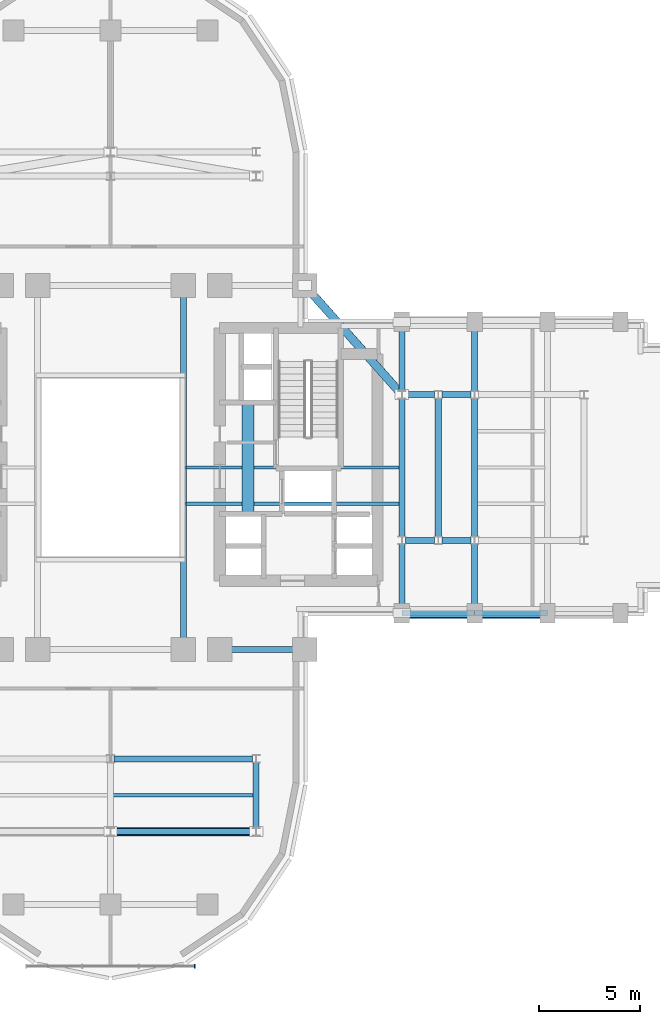
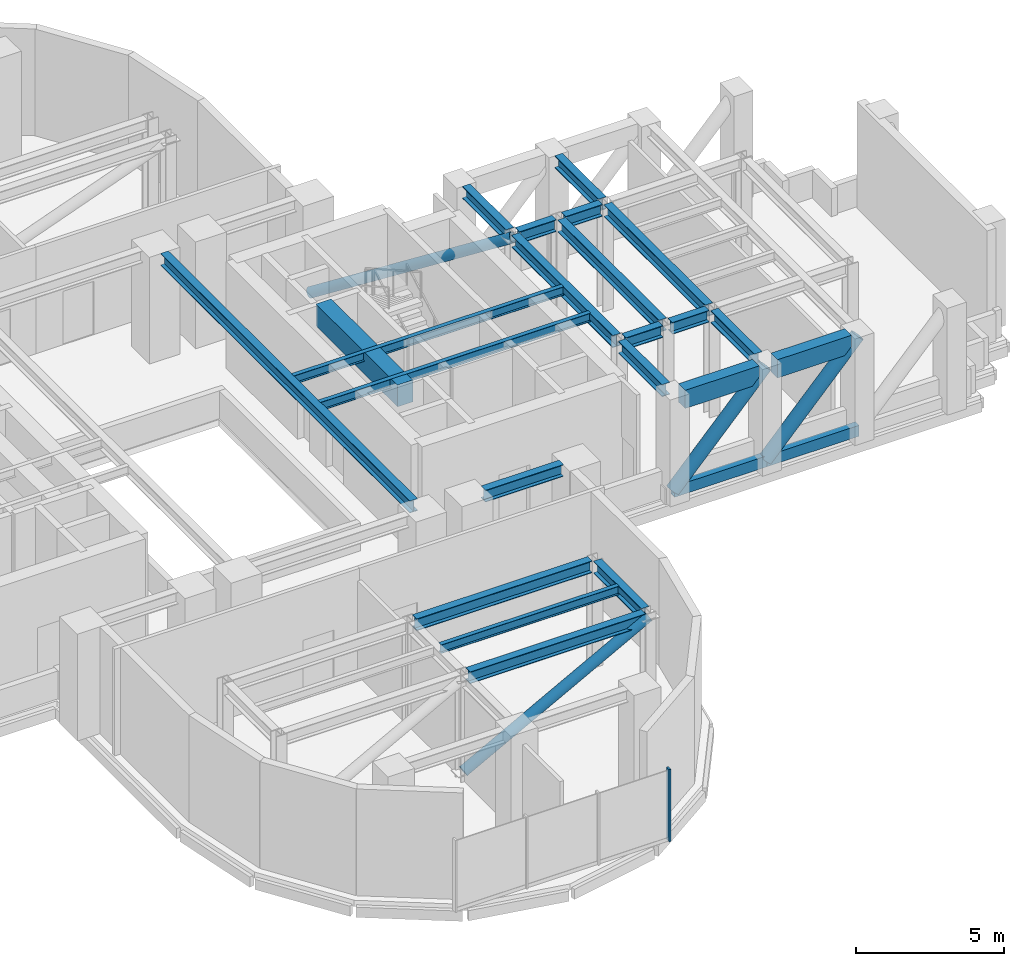
# One storey, part 5 of 15: 22 beams, 7 members, 1 element without a shape of its own.
"""IFC4 building model written with IfcOpenShell, lengths in metres."""

from ifc_helpers import new_model, si_unit, direction, frame, origin, origin_2d, place, context, subcontext, project, spatial, rectangle, hollow_rectangle, hollow_circle, i_section, extrude, source, transform, mapped, material, material_profile, profile_set, type_object, element, aggregate, save


model = new_model("IFC4")

# Units and contexts
model_context = context("Model", 3, precision=1e-05, world=origin(), true_north=direction((0.0, 1.0)))
body_context = subcontext(model_context, "Body", "Model", "MODEL_VIEW")
ifc_project = project(units=[si_unit("LENGTHUNIT", "METRE"), si_unit("AREAUNIT", "SQUARE_METRE"), si_unit("VOLUMEUNIT", "CUBIC_METRE"), si_unit("PLANEANGLEUNIT", "RADIAN"), si_unit("MASSUNIT", "GRAM", prefix="KILO")], contexts=[model_context])

# Site, building, storey
site_placement = place(None, origin())
site = spatial("IfcSite", under=ifc_project, at=site_placement, CompositionType="ELEMENT")
building_placement = place(site_placement, origin())
building = spatial("IfcBuilding", under=site, at=building_placement, Name="Keilestroom Media Tower", CompositionType="ELEMENT")
storey_placement = place(building_placement, frame((0.0, 0.0, 88.39990234375)))
storey = spatial("IfcBuildingStorey", under=building, at=storey_placement, Name="L23", CompositionType="ELEMENT", Elevation=88.39990234375)

# Beams
ifc_material_1 = material(Name="Concrete C70/85", Category="concrete")
ifc_material_profile_1 = material_profile(ifc_material_1, rectangle(XDim=0.60009765625, YDim=0.89990234375, at=origin_2d()), Name="RC 600x900")
ifc_profile_set_1 = profile_set([ifc_material_profile_1], Name="Concrete C70/85")
beam_type_1 = type_object("IfcBeamType", Name="Core-Coupling-Lintel-Beam-RC-600x900", PredefinedType="LINTEL", material=ifc_profile_set_1)
shared_shape_1 = source(origin(), body_context, "Body", "SweptSolid", [
    extrude(rectangle(XDim=0.60009765625, YDim=0.89990234375, at=origin_2d()), origin(), (0.0, 0.0, 1.0), 5.52001953125),
])
beam_1_placement = place(storey_placement, frame((6.800048828125, -2.300048828125, 3.9501953125), z_axis=(0.0, 1.0, 0.0), x_axis=(-1.0, 0.0, 0.0)))
element("IfcBeam", 1, at=beam_1_placement, inside=storey, type_object=beam_type_1, Name="L23 Beam CLB-1 CLB-L23-E", PredefinedType="LINTEL", context=body_context, shape_type="MappedRepresentation", body=[
    mapped(shared_shape_1, transform((0.0, 0.0, 0.0), x_axis=(1.0, 0.0, 0.0), y_axis=(0.0, 1.0, 0.0), z_axis=(0.0, 0.0, 1.0), scale=1.0)),
])
ifc_material_2 = material(Name="Precast concrete C40/50", Category="concrete")
ifc_material_profile_2 = material_profile(ifc_material_2, rectangle(XDim=0.449951171875, YDim=0.75, at=origin_2d()), Name="PC 450x750")
ifc_profile_set_2 = profile_set([ifc_material_profile_2], Name="Precast concrete C40/50")
beam_type_2 = type_object("IfcBeamType", Name="Perimeter-Spandrel-Beam-PC-450x750", PredefinedType="SPANDREL", material=ifc_profile_set_2)
shared_shape_2 = source(origin(), body_context, "Body", "SweptSolid", [
    extrude(rectangle(XDim=0.449951171875, YDim=0.75, at=origin_2d()), origin(), (0.0, 0.0, 1.0), 2.89013671875),
])
for number, where, z_axis, x_axis, name in (
    (2, (14.7548828125, -7.199951171875, 4.025146484375), (1.0, 0.0, 0.0), (0.0, 1.0, 0.0), "L23 Beam SPB-1 BM-L23-EW-014"),
    (3, (18.35498046875, -7.199951171875, 4.025146484375), (1.0, 0.0, 0.0), (0.0, 1.0, 0.0), "L23 Beam SPB-1 BM-L23-EW-015"),
):
    element("IfcBeam", number, at=place(storey_placement, frame(where, z_axis=z_axis, x_axis=x_axis)), inside=storey, type_object=beam_type_2, Name=name, PredefinedType="SPANDREL", context=body_context, shape_type="MappedRepresentation", body=[
        mapped(shared_shape_2, transform((0.0, 0.0, 0.0), x_axis=(1.0, 0.0, 0.0), y_axis=(0.0, 1.0, 0.0), z_axis=(0.0, 0.0, 1.0), scale=1.0)),
    ])
ifc_material_3 = material(Name="Steel S355", Category="steel")
ifc_material_profile_3 = material_profile(ifc_material_3, i_section(OverallWidth=0.300048828125, OverallDepth=0.5, WebThickness=0.012451171875, FlangeThickness=0.028076171875, at=origin_2d()), Name="HEB 500")
ifc_profile_set_3 = profile_set([ifc_material_profile_3], Name="Steel S355")
beam_type_3 = type_object("IfcBeamType", Name="Primary-Structural-Girder-HEB-500", PredefinedType="BEAM", material=ifc_profile_set_3)
shared_shape_3 = source(origin(), body_context, "Body", "SweptSolid", [
    extrude(i_section(OverallWidth=0.300048828125, OverallDepth=0.5, WebThickness=0.012451171875, FlangeThickness=0.028076171875, at=origin_2d()), origin(), (0.0, 0.0, 1.0), 6.8330078125),
])
for number, where, z_axis, x_axis, name in (
    (4, (14.39990234375, -3.41650390625, 4.150146484375), (0.0, 1.0, 0.0), (-1.0, 0.0, 0.0), "L23 Beam BG-6 BM-L23-NS-067"),
    (5, (16.199951171875, -3.41650390625, 4.150146484375), (0.0, 1.0, 0.0), (-1.0, 0.0, 0.0), "L23 Beam BG-6 BM-L23-NS-069"),
    (6, (18.0, -3.41650390625, 4.150146484375), (0.0, 1.0, 0.0), (-1.0, 0.0, 0.0), "L23 Beam BG-6 BM-L23-NS-071"),
):
    element("IfcBeam", number, at=place(storey_placement, frame(where, z_axis=z_axis, x_axis=x_axis)), inside=storey, type_object=beam_type_3, Name=name, PredefinedType="BEAM", context=body_context, shape_type="MappedRepresentation", body=[
        mapped(shared_shape_3, transform((0.0, 0.0, 0.0), x_axis=(1.0, 0.0, 0.0), y_axis=(0.0, 1.0, 0.0), z_axis=(0.0, 0.0, 1.0), scale=1.0)),
    ])
shared_shape_4 = source(origin(), body_context, "Body", "SweptSolid", [
    extrude(i_section(OverallWidth=0.300048828125, OverallDepth=0.5, WebThickness=0.012451171875, FlangeThickness=0.028076171875, at=origin_2d()), origin(), (0.0, 0.0, 1.0), 2.961669921875),
])
for number, where, z_axis, x_axis, name in (
    (7, (14.39990234375, -6.7451171875, 4.150146484375), (0.0, 1.0, 0.0), (-1.0, 0.0, 0.0), "L23 Beam BG-6 BM-L23-NS-066"),
    (8, (14.39990234375, 3.783447265625, 4.150146484375), (0.0, 1.0, 0.0), (-1.0, 0.0, 0.0), "L23 Beam BG-6 BM-L23-NS-068"),
    (9, (18.0, -6.7451171875, 4.150146484375), (0.0, 1.0, 0.0), (-1.0, 0.0, 0.0), "L23 Beam BG-6 BM-L23-NS-070"),
    (10, (18.0, 3.783447265625, 4.150146484375), (0.0, 1.0, 0.0), (-1.0, 0.0, 0.0), "L23 Beam BG-6 BM-L23-NS-072"),
):
    element("IfcBeam", number, at=place(storey_placement, frame(where, z_axis=z_axis, x_axis=x_axis)), inside=storey, type_object=beam_type_3, Name=name, PredefinedType="BEAM", context=body_context, shape_type="MappedRepresentation", body=[
        mapped(shared_shape_4, transform((0.0, 0.0, 0.0), x_axis=(1.0, 0.0, 0.0), y_axis=(0.0, 1.0, 0.0), z_axis=(0.0, 0.0, 1.0), scale=1.0)),
    ])
shared_shape_5 = source(origin(), body_context, "Body", "SweptSolid", [
    extrude(i_section(OverallWidth=0.300048828125, OverallDepth=0.5, WebThickness=0.012451171875, FlangeThickness=0.028076171875, at=origin_2d()), origin(), (0.0, 0.0, 1.0), 3.23291015625),
])
beam_2_placement = place(storey_placement, frame((7.199951171875, -17.81640625, 4.150146484375), z_axis=(0.0, 1.0, 0.0), x_axis=(-1.0, 0.0, 0.0)))
element("IfcBeam", 11, at=beam_2_placement, inside=storey, type_object=beam_type_3, Name="L23 Beam BG-6 BM-L23-NS-063", PredefinedType="BEAM", context=body_context, shape_type="MappedRepresentation", body=[
    mapped(shared_shape_5, transform((0.0, 0.0, 0.0), x_axis=(1.0, 0.0, 0.0), y_axis=(0.0, 1.0, 0.0), z_axis=(0.0, 0.0, 1.0), scale=1.0)),
])
shared_shape_6 = source(origin(), body_context, "Body", "SweptSolid", [
    extrude(i_section(OverallWidth=0.300048828125, OverallDepth=0.5, WebThickness=0.012451171875, FlangeThickness=0.028076171875, at=origin_2d()), origin(), (0.0, 0.0, 1.0), 16.83984375),
])
beam_3_placement = place(storey_placement, frame((3.60009765625, -8.419921875, 4.150146484375), z_axis=(0.0, 1.0, 0.0), x_axis=(-1.0, 0.0, 0.0)))
element("IfcBeam", 12, at=beam_3_placement, inside=storey, type_object=beam_type_3, Name="L23 Beam BG-6 BM-L23-NS-061", PredefinedType="BEAM", context=body_context, shape_type="MappedRepresentation", body=[
    mapped(shared_shape_6, transform((0.0, 0.0, 0.0), x_axis=(1.0, 0.0, 0.0), y_axis=(0.0, 1.0, 0.0), z_axis=(0.0, 0.0, 1.0), scale=1.0)),
])
ifc_material_profile_4 = material_profile(ifc_material_3, i_section(OverallWidth=0.300048828125, OverallDepth=0.489990234375, WebThickness=0.011962890625, FlangeThickness=0.02294921875, at=origin_2d()), Name="HEA 500")
ifc_profile_set_4 = profile_set([ifc_material_profile_4], Name="Steel S355")
beam_type_4 = type_object("IfcBeamType", Name="Primary-Structural-Girder-HEA-500", PredefinedType="BEAM", material=ifc_profile_set_4)
shared_shape_7 = source(origin(), body_context, "Body", "SweptSolid", [
    extrude(i_section(OverallWidth=0.300048828125, OverallDepth=0.489990234375, WebThickness=0.011962890625, FlangeThickness=0.02294921875, at=origin_2d()), origin(), (0.0, 0.0, 1.0), 6.836181640625),
])
for number, where, z_axis, x_axis, name in (
    (13, (0.181884765625, -18.0, 4.155029296875), (1.0, 0.0, 0.0), (0.0, 1.0, 0.0), "L23 Beam BG-10 BM-L23-EW-004"),
    (14, (0.181884765625, -14.39990234375, 4.155029296875), (1.0, 0.0, 0.0), (0.0, 1.0, 0.0), "L23 Beam BG-10 BM-L23-EW-006"),
):
    element("IfcBeam", number, at=place(storey_placement, frame(where, z_axis=z_axis, x_axis=x_axis)), inside=storey, type_object=beam_type_4, Name=name, PredefinedType="BEAM", context=body_context, shape_type="MappedRepresentation", body=[
        mapped(shared_shape_7, transform((0.0, 0.0, 0.0), x_axis=(1.0, 0.0, 0.0), y_axis=(0.0, 1.0, 0.0), z_axis=(0.0, 0.0, 1.0), scale=1.0)),
    ])
shared_shape_8 = source(origin(), body_context, "Body", "SweptSolid", [
    extrude(i_section(OverallWidth=0.300048828125, OverallDepth=0.489990234375, WebThickness=0.011962890625, FlangeThickness=0.02294921875, at=origin_2d()), origin(), (0.0, 0.0, 1.0), 3.0400390625),
])
beam_4_placement = place(storey_placement, frame((5.97998046875, -9.0, 4.155029296875), z_axis=(1.0, 0.0, 0.0), x_axis=(0.0, 1.0, 0.0)))
element("IfcBeam", 15, at=beam_4_placement, inside=storey, type_object=beam_type_4, Name="L23 Beam BG-10 BM-L23-EW-011", PredefinedType="BEAM", context=body_context, shape_type="MappedRepresentation", body=[
    mapped(shared_shape_8, transform((0.0, 0.0, 0.0), x_axis=(1.0, 0.0, 0.0), y_axis=(0.0, 1.0, 0.0), z_axis=(0.0, 0.0, 1.0), scale=1.0)),
])
shared_shape_9 = source(origin(), body_context, "Body", "SweptSolid", [
    extrude(i_section(OverallWidth=0.300048828125, OverallDepth=0.489990234375, WebThickness=0.011962890625, FlangeThickness=0.02294921875, at=origin_2d()), origin(), (0.0, 0.0, 1.0), 1.43603515625),
])
for number, where, z_axis, x_axis, name in (
    (16, (14.58203125, -3.60009765625, 4.155029296875), (1.0, 0.0, 0.0), (0.0, 1.0, 0.0), "L23 Beam BG-10 BM-L23-EW-019"),
    (17, (16.382080078125, -3.60009765625, 4.155029296875), (1.0, 0.0, 0.0), (0.0, 1.0, 0.0), "L23 Beam BG-10 BM-L23-EW-020"),
    (18, (14.58203125, 3.60009765625, 4.155029296875), (1.0, 0.0, 0.0), (0.0, 1.0, 0.0), "L23 Beam BG-10 BM-L23-EW-025"),
    (19, (16.382080078125, 3.60009765625, 4.155029296875), (1.0, 0.0, 0.0), (0.0, 1.0, 0.0), "L23 Beam BG-10 BM-L23-EW-026"),
):
    element("IfcBeam", number, at=place(storey_placement, frame(where, z_axis=z_axis, x_axis=x_axis)), inside=storey, type_object=beam_type_4, Name=name, PredefinedType="BEAM", context=body_context, shape_type="MappedRepresentation", body=[
        mapped(shared_shape_9, transform((0.0, 0.0, 0.0), x_axis=(1.0, 0.0, 0.0), y_axis=(0.0, 1.0, 0.0), z_axis=(0.0, 0.0, 1.0), scale=1.0)),
    ])
ifc_material_profile_5 = material_profile(ifc_material_3, i_section(OverallWidth=0.169921875, OverallDepth=0.360107421875, WebThickness=0.008056640625, FlangeThickness=0.0126953125, at=origin_2d()), Name="IPE 360")
ifc_profile_set_5 = profile_set([ifc_material_profile_5], Name="Steel S355")
beam_type_5 = type_object("IfcBeamType", Name="Secondary-Floor-Joist-IPE-360", PredefinedType="JOIST", material=ifc_profile_set_5)
shared_shape_10 = source(origin(), body_context, "Body", "SweptSolid", [
    extrude(i_section(OverallWidth=0.169921875, OverallDepth=0.360107421875, WebThickness=0.008056640625, FlangeThickness=0.0126953125, at=origin_2d()), origin(), (0.0, 0.0, 1.0), 6.940185546875),
])
beam_5_placement = place(storey_placement, frame((0.1298828125, -16.199951171875, 4.22021484375), z_axis=(1.0, 0.0, 0.0), x_axis=(0.0, 1.0, 0.0)))
element("IfcBeam", 20, at=beam_5_placement, inside=storey, type_object=beam_type_5, Name="L23 Beam BJ-5 JST-L23-076", PredefinedType="JOIST", context=body_context, shape_type="MappedRepresentation", body=[
    mapped(shared_shape_10, transform((0.0, 0.0, 0.0), x_axis=(1.0, 0.0, 0.0), y_axis=(0.0, 1.0, 0.0), z_axis=(0.0, 0.0, 1.0), scale=1.0)),
])
shared_shape_11 = source(origin(), body_context, "Body", "SweptSolid", [
    extrude(i_section(OverallWidth=0.169921875, OverallDepth=0.360107421875, WebThickness=0.008056640625, FlangeThickness=0.0126953125, at=origin_2d()), origin(), (0.0, 0.0, 1.0), 10.5400390625),
])
for number, where, z_axis, x_axis, name in (
    (21, (3.72998046875, -1.800048828125, 4.22021484375), (1.0, 0.0, 0.0), (0.0, 1.0, 0.0), "L23 Beam BJ-5 JST-L23-080"),
    (22, (3.72998046875, 0.0, 4.22021484375), (1.0, 0.0, 0.0), (0.0, 1.0, 0.0), "L23 Beam BJ-5 JST-L23-085"),
):
    element("IfcBeam", number, at=place(storey_placement, frame(where, z_axis=z_axis, x_axis=x_axis)), inside=storey, type_object=beam_type_5, Name=name, PredefinedType="JOIST", context=body_context, shape_type="MappedRepresentation", body=[
        mapped(shared_shape_11, transform((0.0, 0.0, 0.0), x_axis=(1.0, 0.0, 0.0), y_axis=(0.0, 1.0, 0.0), z_axis=(0.0, 0.0, 1.0), scale=1.0)),
    ])

# Members
ifc_material_4 = material(Name="Steel S460", Category="steel")
ifc_material_profile_6 = material_profile(ifc_material_4, hollow_rectangle(XDim=0.25, YDim=0.449951171875, WallThickness=0.01611328125, at=origin_2d()), Name="RHS 450x250x16")
ifc_profile_set_6 = profile_set([ifc_material_profile_6], Name="Steel S460")
member_type_1 = type_object("IfcMemberType", Name="Transfer-And-Belt-Truss-Chord-RHS-450x250x16", PredefinedType="CHORD", material=ifc_profile_set_6)
shared_shape_12 = source(origin(), body_context, "Body", "SweptSolid", [
    extrude(hollow_rectangle(XDim=0.25, YDim=0.449951171875, WallThickness=0.01611328125, at=origin_2d()), origin(), (0.0, 0.0, 1.0), 3.60009765625),
])
for number, where, z_axis, x_axis, name in (
    (23, (14.39990234375, -7.199951171875, 0.280029296875), (1.0, 0.0, 0.0), (0.0, 1.0, 0.0), "L23 Outrigger OT-L23-ES Chord 1"),
    (24, (18.0, -7.199951171875, 0.280029296875), (1.0, 0.0, 0.0), (0.0, 1.0, 0.0), "L23 Outrigger OT-L23-ES Chord 2"),
):
    element("IfcMember", number, at=place(storey_placement, frame(where, z_axis=z_axis, x_axis=x_axis)), inside=storey, type_object=member_type_1, Name=name, PredefinedType="CHORD", context=body_context, shape_type="MappedRepresentation", body=[
        mapped(shared_shape_12, transform((0.0, 0.0, 0.0), x_axis=(1.0, 0.0, 0.0), y_axis=(0.0, 1.0, 0.0), z_axis=(0.0, 0.0, 1.0), scale=1.0)),
    ])
ifc_material_profile_7 = material_profile(ifc_material_4, hollow_circle(Radius=0.25390625, WallThickness=0.02001953125, at=origin_2d()), Name="CHS 508x20")
ifc_profile_set_7 = profile_set([ifc_material_profile_7], Name="Steel S460")
member_type_2 = type_object("IfcMemberType", Name="Outrigger-And-Belt-Brace-CHS-508x20", PredefinedType="BRACE", material=ifc_profile_set_7)
shared_shape_13 = source(origin(), body_context, "Body", "SweptSolid", [
    extrude(hollow_circle(Radius=0.25390625, WallThickness=0.02001953125, at=origin_2d()), origin(), (0.0, 0.0, 1.0), 5.28564453125),
])
for number, where, z_axis, x_axis, name in (
    (25, (14.39990234375, -7.199951171875, 0.280029296875), (0.681102790765, 0.0, 0.732187809522), (0.0, 1.0, 0.0), "L23 Outrigger OT-L23-ES Brace 1"),
    (26, (18.0, -7.199951171875, 0.280029296875), (0.681102790765, 0.0, 0.732187809522), (0.0, 1.0, 0.0), "L23 Outrigger OT-L23-ES Brace 2"),
):
    element("IfcMember", number, at=place(storey_placement, frame(where, z_axis=z_axis, x_axis=x_axis)), inside=storey, type_object=member_type_2, Name=name, PredefinedType="BRACE", context=body_context, shape_type="MappedRepresentation", body=[
        mapped(shared_shape_13, transform((0.0, 0.0, 0.0), x_axis=(1.0, 0.0, 0.0), y_axis=(0.0, 1.0, 0.0), z_axis=(0.0, 0.0, 1.0), scale=1.0)),
    ])
ifc_material_profile_8 = material_profile(ifc_material_4, hollow_circle(Radius=0.203125, WallThickness=0.01611328125, at=origin_2d()), Name="CHS 406.4x16")
ifc_profile_set_8 = profile_set([ifc_material_profile_8], Name="Steel S460")
member_type_3 = type_object("IfcMemberType", Name="Outrigger-And-Belt-Brace-CHS-406x16", PredefinedType="BRACE", material=ifc_profile_set_8)
shared_shape_14 = source(origin(), body_context, "Body", "SweptSolid", [
    extrude(hollow_circle(Radius=0.203125, WallThickness=0.01611328125, at=origin_2d()), origin(), (0.0, 0.0, 1.0), 8.174072265625),
])
member_1_placement = place(storey_placement, frame((0.0, -18.0, 0.280029296875), z_axis=(0.880817079436, 0.0, 0.473456727246), x_axis=(0.0, 1.0, 0.0)))
element("IfcMember", 27, at=member_1_placement, inside=storey, type_object=member_type_3, Name="L23 Belt Truss Brace BS2", PredefinedType="BRACE", context=body_context, shape_type="MappedRepresentation", body=[
    mapped(shared_shape_14, transform((0.0, 0.0, 0.0), x_axis=(1.0, 0.0, 0.0), y_axis=(0.0, 1.0, 0.0), z_axis=(0.0, 0.0, 1.0), scale=1.0)),
])
shared_shape_15 = source(origin(), body_context, "Body", "SweptSolid", [
    extrude(hollow_circle(Radius=0.203125, WallThickness=0.01611328125, at=origin_2d()), origin(), (0.0, 0.0, 1.0), 8.196044921875),
])
member_2_placement = place(storey_placement, frame((9.60009765625, 9.0, 0.280029296875), z_axis=(0.585625695855, -0.658843801674, 0.472194228417), x_axis=(0.747416776234, 0.66435544899, 0.0)))
element("IfcMember", 28, at=member_2_placement, inside=storey, type_object=member_type_3, Name="L23 Belt Truss Brace BEN", PredefinedType="BRACE", context=body_context, shape_type="MappedRepresentation", body=[
    mapped(shared_shape_15, transform((0.0, 0.0, 0.0), x_axis=(1.0, 0.0, 0.0), y_axis=(0.0, 1.0, 0.0), z_axis=(0.0, 0.0, 1.0), scale=1.0)),
])

# Curtain wall, member
ifc_material_5 = material(Name="Anodised Aluminium Alloy", Category="aluminium")
curtain_wall_type = type_object("IfcCurtainWallType", Name="Unitised-Curtain-Wall-CW-6", PredefinedType="NOTDEFINED", material=ifc_material_5)
curtain_wall_placement = place(storey_placement, origin())
curtain_wall = element("IfcCurtainWall", 29, at=curtain_wall_placement, inside=storey, type_object=curtain_wall_type, Name="L23 Curtain Wall CW-6 CW-L23-S", PredefinedType="NOTDEFINED")
ifc_material_profile_9 = material_profile(ifc_material_5, rectangle(XDim=0.06494140625, YDim=0.179931640625, at=origin_2d()), Name="ALU MULLION 65x180")
ifc_profile_set_9 = profile_set([ifc_material_profile_9], Name="Anodised Aluminium Alloy")
member_type_4 = type_object("IfcMemberType", Name="Curtain-Wall-Mullion-CW-6", PredefinedType="MULLION", material=ifc_profile_set_9)
shared_shape_16 = source(origin(), body_context, "Body", "SweptSolid", [
    extrude(rectangle(XDim=0.06494140625, YDim=0.179931640625, at=origin_2d()), origin(), (0.0, 0.0, 1.0), 2.97998046875),
])
member_3_placement = place(storey_placement, frame((4.16748046875, -24.64990234375, 0.0), z_axis=(0.0, 0.0, 1.0), x_axis=(1.0, 0.0, 0.0)))
member_3 = element("IfcMember", 30, at=member_3_placement, type_object=member_type_4, Name="CW-6 Mullion 03", PredefinedType="MULLION", context=body_context, shape_type="MappedRepresentation", body=[
    mapped(shared_shape_16, transform((0.0, 0.0, 0.0), x_axis=(1.0, 0.0, 0.0), y_axis=(0.0, 1.0, 0.0), z_axis=(0.0, 0.0, 1.0), scale=1.0)),
])
aggregate(curtain_wall, [member_3])

save(model, "model.ifc")
